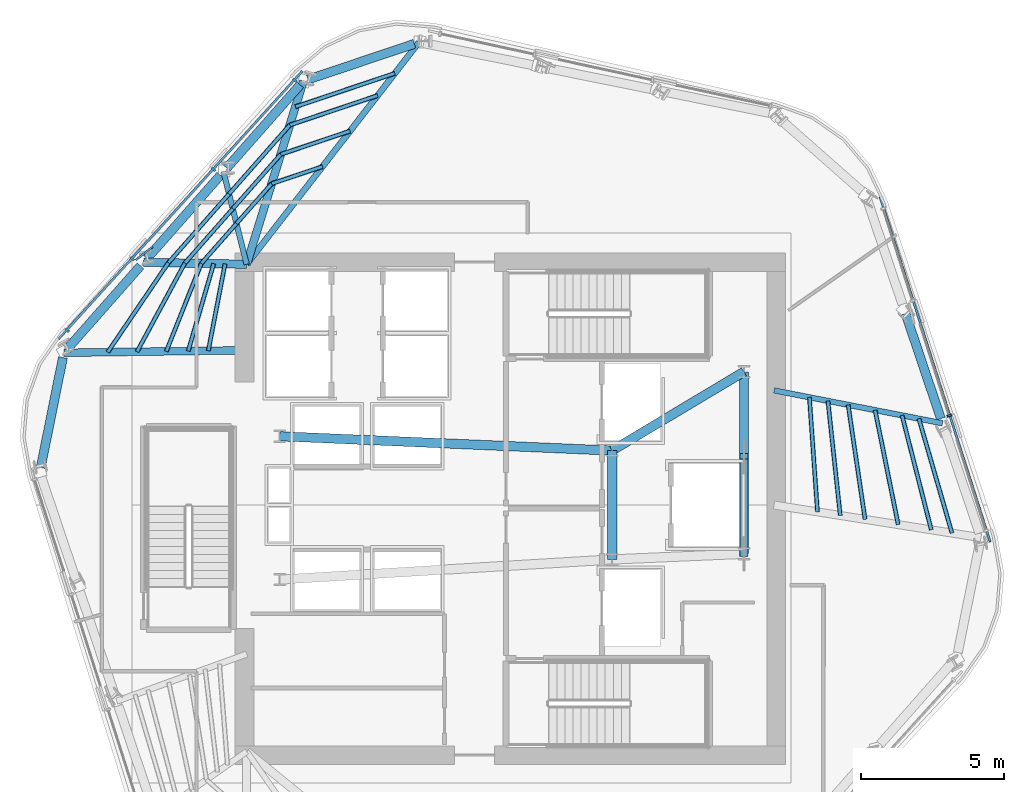
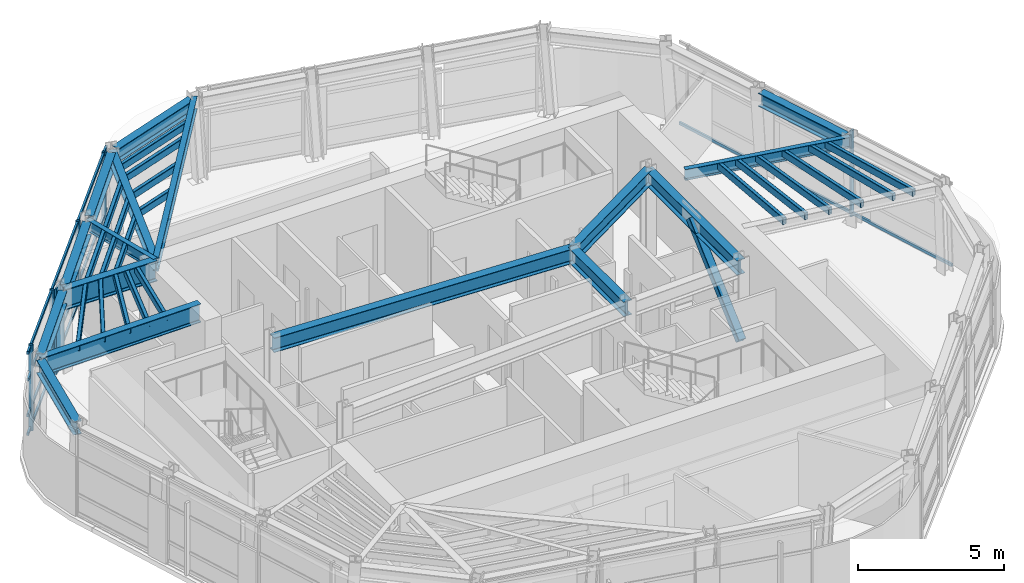
# One storey, part 4 of 13: 33 members, 16 beams, 2 elements without a shape of their own.
"""IFC4 building model written with IfcOpenShell, lengths in metres."""

import ifcopenshell
import ifcopenshell.guid

model = None  # the IFC model being written
_history = None  # IfcOwnerHistory: only IFC2X3 demands one
_inside = {}  # id of a spatial element -> (the spatial element, [elements in it])
_under = {}  # id of a project, library or spatial element -> (it, [spatial elements below it])
_declared = {}  # id of a project -> (the project, [libraries it declares])
_typed = {}  # id of a type object -> (the type object, [elements of that type])
_made_of = {}  # id of a material, layer set ... -> (it, [elements and type objects made of it])


def new_model(schema):
    """Start an empty IFC model of exactly this schema.

    Asked for "IFC4X3", IfcOpenShell would pick the latest addendum, in which some entities
    have other attributes; the version numbers below select the first issue.
    IFC2X3 requires an IfcOwnerHistory on every rooted entity: one is made here for all.
    """
    global model, _history
    if schema == "IFC4X3":
        model = ifcopenshell.file(schema_version=(4, 3, 0, 0))
    else:
        model = ifcopenshell.file(schema=schema)
    _inside.clear()
    _under.clear()
    _declared.clear()
    _typed.clear()
    _made_of.clear()
    _history = None
    if model.schema == "IFC2X3":
        org = make("IfcOrganization", Name="unknown")
        user = make(
            "IfcPersonAndOrganization",
            ThePerson=make("IfcPerson", FamilyName="unknown"),
            TheOrganization=org,
        )
        app = make(
            "IfcApplication",
            ApplicationDeveloper=org,
            Version="unknown",
            ApplicationFullName="unknown",
            ApplicationIdentifier="unknown",
        )
        _history = make(
            "IfcOwnerHistory",
            OwningUser=user,
            OwningApplication=app,
            ChangeAction="ADDED",
            CreationDate=0,
        )
    return model


def make(cls, **values):
    """One entity of the class cls with the attributes given. An attribute that is None is left unset."""
    return model.create_entity(
        cls, **{name: value for name, value in values.items() if value is not None}
    )


def rooted(cls, **values):
    """An entity with a GlobalId (a new one), such as an element, a storey or a relation."""
    return make(cls, GlobalId=ifcopenshell.guid.new(), OwnerHistory=_history, **values)


def si_unit(unit_type, name, prefix=None):
    """IfcSIUnit, for example si_unit("LENGTHUNIT", "METRE", prefix="MILLI")."""
    return make("IfcSIUnit", UnitType=unit_type, Prefix=prefix, Name=name)


def assignment(units):
    """IfcUnitAssignment: the units of a project."""
    return None if units is None else make("IfcUnitAssignment", Units=units)


def point(xyz):
    """IfcCartesianPoint."""
    return None if xyz is None else make("IfcCartesianPoint", Coordinates=xyz)


def direction(xyz):
    """IfcDirection."""
    return None if xyz is None else make("IfcDirection", DirectionRatios=xyz)


def frame(location, z_axis=None, x_axis=None):
    """IfcAxis2Placement3D, a coordinate frame: its origin and axes. An axis left out is left unset."""
    return make(
        "IfcAxis2Placement3D",
        Location=point(location),
        Axis=direction(z_axis),
        RefDirection=direction(x_axis),
    )


def frame_2d(location, x_axis=None):
    """IfcAxis2Placement2D, a coordinate frame in the plane: its origin and x axis."""
    return make(
        "IfcAxis2Placement2D", Location=point(location), RefDirection=direction(x_axis)
    )


def origin():
    """The frame at (0, 0, 0) with its axes left unset."""
    return frame((0.0, 0.0, 0.0))


def origin_2d():
    """The frame at (0, 0) in the plane with its x axis left unset."""
    return frame_2d((0.0, 0.0))


def place(relative_to, where):
    """IfcLocalPlacement: puts the frame where relative to a parent placement (None: the world)."""
    return make(
        "IfcLocalPlacement", PlacementRelTo=relative_to, RelativePlacement=where
    )


def context(
    kind, dimensions, precision=None, world=None, true_north=None, identifier=None
):
    """IfcGeometricRepresentationContext, for example the 3D "Model" context."""
    return make(
        "IfcGeometricRepresentationContext",
        ContextIdentifier=identifier,
        ContextType=kind,
        CoordinateSpaceDimension=dimensions,
        Precision=precision,
        WorldCoordinateSystem=world,
        TrueNorth=true_north,
    )


def subcontext(parent, identifier, kind, view, scale=None):
    """IfcGeometricRepresentationSubContext, for example "Body" below "Model"."""
    return make(
        "IfcGeometricRepresentationSubContext",
        ContextIdentifier=identifier,
        ContextType=kind,
        ParentContext=parent,
        TargetScale=scale,
        TargetView=view,
    )


def project(units=None, contexts=None):
    """IfcProject with its units and contexts."""
    return rooted(
        "IfcProject",
        Name="project",
        RepresentationContexts=contexts,
        UnitsInContext=assignment(units),
    )


def spatial(cls, under=None, at=None, **own):
    """A site, building, storey or space (cls), placed at a placement, below another one or the project."""
    s = rooted(cls, ObjectPlacement=at, **own)
    if under is not None:
        _under.setdefault(under.id(), (under, []))[1].append(s)
    return s


def profile(cls, at=None, kind="AREA", **sizes):
    """A parametric profile (cls). Its sizes go by their IFC names, for example OverallWidth=200.0."""
    return make(cls, ProfileType=kind, Position=at, **sizes)


def rectangle(**sizes):
    """IfcRectangleProfileDef."""
    return profile("IfcRectangleProfileDef", **sizes)


def hollow_rectangle(**sizes):
    """IfcRectangleHollowProfileDef."""
    return profile("IfcRectangleHollowProfileDef", **sizes)


def i_section(**sizes):
    """IfcIShapeProfileDef."""
    return profile("IfcIShapeProfileDef", **sizes)


def extrude(swept, where, along, depth):
    """IfcExtrudedAreaSolid: the profile swept, set in the frame where, extruded along a direction by depth."""
    return make(
        "IfcExtrudedAreaSolid",
        SweptArea=swept,
        Position=where,
        ExtrudedDirection=direction(along),
        Depth=depth,
    )


def shape(context_of_items, identifier, shape_type, items):
    """IfcShapeRepresentation: the items that make up one representation, for example the "Body"."""
    return make(
        "IfcShapeRepresentation",
        ContextOfItems=context_of_items,
        RepresentationIdentifier=identifier,
        RepresentationType=shape_type,
        Items=items,
    )


def material(Name=None, Category=None):
    """IfcMaterial."""
    return make("IfcMaterial", Name=Name, Category=Category)


def layer(
    of_material, thickness, ventilated=None, Name=None, Category=None, Priority=None
):
    """IfcMaterialLayer: one layer of a wall or slab, of a material (None: an air gap)."""
    return make(
        "IfcMaterialLayer",
        Material=of_material,
        LayerThickness=thickness,
        IsVentilated=ventilated,
        Name=Name,
        Category=Category,
        Priority=Priority,
    )


def layer_set(layers, Name=None):
    """IfcMaterialLayerSet."""
    return make("IfcMaterialLayerSet", MaterialLayers=layers, LayerSetName=Name)


def material_profile(
    of_material, cross_section, Name=None, Category=None, Priority=None
):
    """IfcMaterialProfile: a cross section and its material."""
    return make(
        "IfcMaterialProfile",
        Name=Name,
        Material=of_material,
        Profile=cross_section,
        Priority=Priority,
        Category=Category,
    )


def profile_set(profiles, Name=None, composite=None):
    """IfcMaterialProfileSet."""
    return make(
        "IfcMaterialProfileSet",
        Name=Name,
        MaterialProfiles=profiles,
        CompositeProfile=composite,
    )


def made_of(thing, what):
    """Note that an element or type object is made of a material, layer set ...; save() writes the relation."""
    if what is not None:
        _made_of.setdefault(what.id(), (what, []))[1].append(thing)
    return thing


def type_object(cls, material=None, **own):
    """A type object (cls), such as IfcWallType, which elements share."""
    return made_of(rooted(cls, **own), material)


def element(
    cls,
    number,
    at=None,
    inside=None,
    cuts=None,
    type_object=None,
    material=None,
    context=None,
    identifier="Body",
    shape_type=None,
    held_by="IfcProductDefinitionShape",
    body=None,
    shapes=None,
    **own,
):
    """One element of the class cls, such as IfcWall. Its Tag is "e" and its number.

    at: its placement. inside: the storey or other place that contains it. cuts: it is an
    opening in that element (IfcRelVoidsElement). A single representation is given by context,
    identifier, shape_type and body (its items); several are given by shapes. held_by: the class
    of the entity that holds the representations. save() writes the other relations.
    """
    e = rooted(cls, Tag="e%d" % number, ObjectPlacement=at, **own)
    if body is not None:
        shapes = [shape(context, identifier, shape_type, body)]
    if shapes is not None:
        e.Representation = make(held_by, Representations=shapes)
    if inside is not None:
        _inside.setdefault(inside.id(), (inside, []))[1].append(e)
    if cuts is not None:
        rooted(
            "IfcRelVoidsElement", RelatingBuildingElement=cuts, RelatedOpeningElement=e
        )
    if type_object is not None:
        _typed.setdefault(type_object.id(), (type_object, []))[1].append(e)
    return made_of(e, material)


def aggregate(whole, parts):
    """IfcRelAggregates: a whole, such as a stair, and the parts it consists of."""
    return rooted("IfcRelAggregates", RelatingObject=whole, RelatedObjects=parts)


def save(model, path):
    """Write the relations noted so far, then the file.

    IfcRelAggregates (storeys below a building ...), IfcRelContainedInSpatialStructure (elements
    in a storey), IfcRelDefinesByType, IfcRelAssociatesMaterial and IfcRelDeclares: one each for
    every whole, place, type object, material and project.
    """
    for whole, parts in _under.values():
        aggregate(whole, parts)
    for where, things in _inside.values():
        rooted(
            "IfcRelContainedInSpatialStructure",
            RelatedElements=things,
            RelatingStructure=where,
        )
    for kind, things in _typed.values():
        rooted("IfcRelDefinesByType", RelatedObjects=things, RelatingType=kind)
    for what, things in _made_of.values():
        rooted("IfcRelAssociatesMaterial", RelatedObjects=things, RelatingMaterial=what)
    for by, libraries in _declared.values():
        rooted("IfcRelDeclares", RelatingContext=by, RelatedDefinitions=libraries)
    model.write(path)


model = new_model("IFC4")

# Units and contexts
model_context = context("Model", 3, precision=1e-05, world=origin(), true_north=direction((0.0, 1.0)))
body_context = subcontext(model_context, "Body", "Model", "MODEL_VIEW")
ifc_project = project(units=[si_unit("LENGTHUNIT", "METRE"), si_unit("AREAUNIT", "SQUARE_METRE"), si_unit("VOLUMEUNIT", "CUBIC_METRE"), si_unit("PLANEANGLEUNIT", "RADIAN"), si_unit("MASSUNIT", "GRAM", prefix="KILO")], contexts=[model_context])

# Site, building, storey
site_placement = place(None, origin())
site = spatial("IfcSite", under=ifc_project, at=site_placement, CompositionType="ELEMENT")
building_placement = place(site_placement, origin())
building = spatial("IfcBuilding", under=site, at=building_placement, Name="Valkerne Bourse Tower", CompositionType="ELEMENT")
storey_placement = place(building_placement, frame((0.0, 0.0, 228.39990234375)))
storey = spatial("IfcBuildingStorey", under=building, at=storey_placement, Name="L58", CompositionType="ELEMENT", Elevation=228.39990234375)

# Beams
ifc_material_1 = material(Name="Steel ASTM A992", Category="steel")
ifc_material_profile_1 = material_profile(ifc_material_1, i_section(OverallWidth=0.1904296875, OverallDepth=0.457275390625, WebThickness=0.009033203125, FlangeThickness=0.014404296875, FilletRadius=0.01513671875, at=origin_2d()), Name="W18X50")
ifc_profile_set_1 = profile_set([ifc_material_profile_1], Name="Steel ASTM A992")
beam_type_1 = type_object("IfcBeamType", Name="BM-W18X50", PredefinedType="JOIST", material=ifc_profile_set_1)
beam_1_placement = place(storey_placement, frame((36.7919921875, 38.630859375, 3.37158203125), z_axis=(0.242639112882, -0.970116622319, 0.0), x_axis=(0.970116622319, 0.242639112882, 0.0)))
element("IfcBeam", 1, at=beam_1_placement, inside=storey, type_object=beam_type_1, Name="L58 Radial Composite Floor Beam 05", PredefinedType="JOIST", context=body_context, shape_type="SweptSolid", body=[
    extrude(i_section(OverallWidth=0.1904296875, OverallDepth=0.457275390625, WebThickness=0.009033203125, FlangeThickness=0.014404296875, FilletRadius=0.01513671875, at=origin_2d()), origin(), (0.0, 0.0, 1.0), 3.33056640625),
])
beam_2_placement = place(storey_placement, frame((61.876708984375, 29.851806640625, 3.37158203125), z_axis=(-0.981442895962, 0.191754640011, 0.0), x_axis=(-0.191754640011, -0.981442895962, 0.0)))
element("IfcBeam", 2, at=beam_2_placement, inside=storey, type_object=beam_type_1, Name="L58 Radial Composite Floor Beam 21", PredefinedType="JOIST", context=body_context, shape_type="SweptSolid", body=[
    extrude(i_section(OverallWidth=0.1904296875, OverallDepth=0.457275390625, WebThickness=0.009033203125, FlangeThickness=0.014404296875, FilletRadius=0.01513671875, at=origin_2d()), origin(), (0.0, 0.0, 1.0), 5.98779296875),
])
ifc_material_profile_2 = material_profile(ifc_material_1, i_section(OverallWidth=0.279296875, OverallDepth=0.46240234375, WebThickness=0.0107421875, FlangeThickness=0.017333984375, FilletRadius=0.017822265625, at=origin_2d()), Name="W18X76")
ifc_profile_set_2 = profile_set([ifc_material_profile_2], Name="Steel ASTM A992")
beam_type_2 = type_object("IfcBeamType", Name="BM-W18X76", PredefinedType="BEAM", material=ifc_profile_set_2)
beam_3_placement = place(storey_placement, frame((39.577392578125, 41.790283203125, 3.368896484375), z_axis=(-0.295590944827, -0.955314604377, 0.0), x_axis=(0.955314604377, -0.295590944827, 0.0)))
element("IfcBeam", 3, at=beam_3_placement, inside=storey, type_object=beam_type_2, Name="L58 Radial Composite Floor Beam 04", PredefinedType="BEAM", context=body_context, shape_type="SweptSolid", body=[
    extrude(i_section(OverallWidth=0.279296875, OverallDepth=0.46240234375, WebThickness=0.0107421875, FlangeThickness=0.017333984375, FilletRadius=0.017822265625, at=origin_2d()), origin(), (0.0, 0.0, 1.0), 6.689208984375),
])
ifc_material_profile_3 = material_profile(ifc_material_1, i_section(OverallWidth=0.31494140625, OverallDepth=0.5537109375, WebThickness=0.0166015625, FlangeThickness=0.026123046875, FilletRadius=0.020263671875, at=origin_2d()), Name="W21X132")
ifc_profile_set_3 = profile_set([ifc_material_profile_3], Name="Steel ASTM A992")
beam_type_3 = type_object("IfcBeamType", Name="BM-W21X132", PredefinedType="BEAM", material=ifc_profile_set_3)
beam_4_placement = place(storey_placement, frame((43.44970703125, 43.093505859375, 3.3232421875), z_axis=(-0.947762787395, -0.318976016072, 0.0), x_axis=(0.318976016072, -0.947762787395, 0.0)))
element("IfcBeam", 4, at=beam_4_placement, inside=storey, type_object=beam_type_3, Name="L58 Hexagonal Spandrel Ring Beam 03", PredefinedType="BEAM", context=body_context, shape_type="SweptSolid", body=[
    extrude(i_section(OverallWidth=0.31494140625, OverallDepth=0.5537109375, WebThickness=0.0166015625, FlangeThickness=0.026123046875, FilletRadius=0.020263671875, at=origin_2d()), origin(), (0.0, 0.0, 1.0), 3.915771484375),
])
for number, where, z_axis, x_axis, name in (
    (5, (39.465087890625, 41.662841796875, 3.3232421875), (-0.661325473971, -0.750099071774, 0.0), (0.750099071774, -0.661325473971, 0.0), "L58 Hexagonal Spandrel Ring Beam 04"),
    (6, (36.6796875, 38.50341796875, 3.3232421875), (-0.661325473971, -0.750099071774, 0.0), (0.750099071774, -0.661325473971, 0.0), "L58 Hexagonal Spandrel Ring Beam 05"),
):
    element("IfcBeam", number, at=place(storey_placement, frame(where, z_axis=z_axis, x_axis=x_axis)), inside=storey, type_object=beam_type_3, Name=name, PredefinedType="BEAM", context=body_context, shape_type="SweptSolid", body=[
        extrude(i_section(OverallWidth=0.31494140625, OverallDepth=0.5537109375, WebThickness=0.0166015625, FlangeThickness=0.026123046875, FilletRadius=0.020263671875, at=origin_2d()), origin(), (0.0, 0.0, 1.0), 3.872314453125),
    ])
beam_5_placement = place(storey_placement, frame((33.89404296875, 35.343994140625, 3.3232421875), z_axis=(-0.661289997078, -0.750130348516, 0.0), x_axis=(0.750130348516, -0.661289997078, 0.0)))
element("IfcBeam", 7, at=beam_5_placement, inside=storey, type_object=beam_type_3, Name="L58 Hexagonal Spandrel Ring Beam 06", PredefinedType="BEAM", context=body_context, shape_type="SweptSolid", body=[
    extrude(i_section(OverallWidth=0.31494140625, OverallDepth=0.5537109375, WebThickness=0.0166015625, FlangeThickness=0.026123046875, FilletRadius=0.020263671875, at=origin_2d()), origin(), (0.0, 0.0, 1.0), 3.8720703125),
])
beam_6_placement = place(storey_placement, frame((31.1875, 32.145263671875, 3.3232421875), z_axis=(-0.19765067326, -0.980272518925, 0.0), x_axis=(0.980272518925, -0.19765067326, 0.0)))
element("IfcBeam", 8, at=beam_6_placement, inside=storey, type_object=beam_type_3, Name="L58 Hexagonal Spandrel Ring Beam 07", PredefinedType="BEAM", context=body_context, shape_type="SweptSolid", body=[
    extrude(i_section(OverallWidth=0.31494140625, OverallDepth=0.5537109375, WebThickness=0.0166015625, FlangeThickness=0.026123046875, FilletRadius=0.020263671875, at=origin_2d()), origin(), (0.0, 0.0, 1.0), 3.91552734375),
])
beam_7_placement = place(storey_placement, frame((61.822509765625, 30.012939453125, 3.3232421875), z_axis=(-0.318988173822, 0.947758695535, 0.0), x_axis=(-0.947758695535, -0.318988173822, 0.0)))
element("IfcBeam", 9, at=beam_7_placement, inside=storey, type_object=beam_type_3, Name="L58 Hexagonal Spandrel Ring Beam 21", PredefinedType="BEAM", context=body_context, shape_type="SweptSolid", body=[
    extrude(i_section(OverallWidth=0.31494140625, OverallDepth=0.5537109375, WebThickness=0.0166015625, FlangeThickness=0.026123046875, FilletRadius=0.020263671875, at=origin_2d()), origin(), (0.0, 0.0, 1.0), 3.8720703125),
])
ifc_material_profile_4 = material_profile(ifc_material_1, i_section(OverallWidth=0.209228515625, OverallDepth=0.533447265625, WebThickness=0.01025390625, FlangeThickness=0.015625, FilletRadius=0.017822265625, at=origin_2d()), Name="W21X62")
ifc_profile_set_4 = profile_set([ifc_material_profile_4], Name="Steel ASTM A992")
beam_type_4 = type_object("IfcBeamType", Name="BM-W21X62", PredefinedType="JOIST", material=ifc_profile_set_4)
beam_8_placement = place(storey_placement, frame((43.61083984375, 43.147705078125, 3.33349609375), z_axis=(-0.612966287125, -0.790109062629, 0.0), x_axis=(0.790109062629, -0.612966287125, 0.0)))
element("IfcBeam", 10, at=beam_8_placement, inside=storey, type_object=beam_type_4, Name="L58 Radial Composite Floor Beam 03", PredefinedType="JOIST", context=body_context, shape_type="SweptSolid", body=[
    extrude(i_section(OverallWidth=0.209228515625, OverallDepth=0.533447265625, WebThickness=0.01025390625, FlangeThickness=0.015625, FilletRadius=0.017822265625, at=origin_2d()), origin(), (0.0, 0.0, 1.0), 9.805908203125),
])
ifc_material_profile_5 = material_profile(ifc_material_1, i_section(OverallWidth=0.3251953125, OverallDepth=0.612060546875, WebThickness=0.0126953125, FlangeThickness=0.01904296875, FilletRadius=0.020263671875, at=origin_2d()), Name="W24X104")
ifc_profile_set_5 = profile_set([ifc_material_profile_5], Name="Steel ASTM A992")
beam_type_5 = type_object("IfcBeamType", Name="BM-W24X104", PredefinedType="BEAM", material=ifc_profile_set_5)
beam_9_placement = place(storey_placement, frame((50.35009765625, 25.10009765625, 3.294189453125), z_axis=(0.0, 1.0, 0.0), x_axis=(-1.0, 0.0, 0.0)))
element("IfcBeam", 11, at=beam_9_placement, inside=storey, type_object=beam_type_5, Name="L58 Core Frame Girder CG-CE", PredefinedType="BEAM", context=body_context, shape_type="SweptSolid", body=[
    extrude(i_section(OverallWidth=0.3251953125, OverallDepth=0.612060546875, WebThickness=0.0126953125, FlangeThickness=0.01904296875, FilletRadius=0.020263671875, at=origin_2d()), origin(), (0.0, 0.0, 1.0), 3.7998046875),
])
beam_10_placement = place(storey_placement, frame((50.35009765625, 28.89990234375, 3.294189453125), z_axis=(0.858307823492, 0.513135148019, 0.0), x_axis=(-0.513135148019, 0.858307823492, 0.0)))
element("IfcBeam", 12, at=beam_10_placement, inside=storey, type_object=beam_type_5, Name="L58 Core Frame Girder CG-NE", PredefinedType="BEAM", context=body_context, shape_type="SweptSolid", body=[
    extrude(i_section(OverallWidth=0.3251953125, OverallDepth=0.612060546875, WebThickness=0.0126953125, FlangeThickness=0.01904296875, FilletRadius=0.020263671875, at=origin_2d()), origin(), (0.0, 0.0, 1.0), 5.359130859375),
])
beam_11_placement = place(storey_placement, frame((54.949951171875, 25.300048828125, 3.294189453125), z_axis=(0.0, 1.0, 0.0), x_axis=(-1.0, 0.0, 0.0)))
element("IfcBeam", 13, at=beam_11_placement, inside=storey, type_object=beam_type_5, Name="L58 Core Frame Girder CG-EE", PredefinedType="BEAM", context=body_context, shape_type="SweptSolid", body=[
    extrude(i_section(OverallWidth=0.3251953125, OverallDepth=0.612060546875, WebThickness=0.0126953125, FlangeThickness=0.01904296875, FilletRadius=0.020263671875, at=origin_2d()), origin(), (0.0, 0.0, 1.0), 6.349853515625),
])
beam_12_placement = place(storey_placement, frame((38.75, 29.39990234375, 3.294189453125), z_axis=(0.999072354402, -0.043063101019, 0.0), x_axis=(0.043063101019, 0.999072354402, 0.0)))
element("IfcBeam", 14, at=beam_12_placement, inside=storey, type_object=beam_type_5, Name="L58 Core Frame Girder CG-NW", PredefinedType="BEAM", context=body_context, shape_type="SweptSolid", body=[
    extrude(i_section(OverallWidth=0.3251953125, OverallDepth=0.612060546875, WebThickness=0.0126953125, FlangeThickness=0.01904296875, FilletRadius=0.020263671875, at=origin_2d()), origin(), (0.0, 0.0, 1.0), 11.61083984375),
])
ifc_material_profile_6 = material_profile(ifc_material_1, i_section(OverallWidth=0.26806640625, OverallDepth=0.76953125, WebThickness=0.015625, FlangeThickness=0.025390625, FilletRadius=0.025390625, at=origin_2d()), Name="W30X132")
ifc_profile_set_6 = profile_set([ifc_material_profile_6], Name="Steel ASTM A992")
beam_type_6 = type_object("IfcBeamType", Name="BM-W30X132", PredefinedType="BEAM", material=ifc_profile_set_6)
beam_13_placement = place(storey_placement, frame((31.22119140625, 32.31201171875, 3.21533203125), z_axis=(0.999905092433, 0.01377701444, 0.0), x_axis=(-0.01377701444, 0.999905092433, 0.0)))
element("IfcBeam", 15, at=beam_13_placement, inside=storey, type_object=beam_type_6, Name="L58 Radial Composite Floor Beam 07", PredefinedType="BEAM", context=body_context, shape_type="SweptSolid", body=[
    extrude(i_section(OverallWidth=0.26806640625, OverallDepth=0.76953125, WebThickness=0.015625, FlangeThickness=0.025390625, FilletRadius=0.025390625, at=origin_2d()), origin(), (0.0, 0.0, 1.0), 6.37939453125),
])
ifc_material_profile_7 = material_profile(ifc_material_1, i_section(OverallWidth=0.2919921875, OverallDepth=0.8583984375, WebThickness=0.01708984375, FlangeThickness=0.031005859375, FilletRadius=0.025390625, at=origin_2d()), Name="W33X169")
ifc_profile_set_7 = profile_set([ifc_material_profile_7], Name="Steel ASTM A992")
beam_type_7 = type_object("IfcBeamType", Name="BM-W33X169", PredefinedType="BEAM", material=ifc_profile_set_7)
beam_14_placement = place(storey_placement, frame((34.006591796875, 35.471435546875, 3.1708984375), z_axis=(0.999801929596, -0.019902300793, 0.0), x_axis=(0.019902300793, 0.999801929596, 0.0)))
element("IfcBeam", 16, at=beam_14_placement, inside=storey, type_object=beam_type_7, Name="L58 Radial Composite Floor Beam 06", PredefinedType="BEAM", context=body_context, shape_type="SweptSolid", body=[
    extrude(i_section(OverallWidth=0.2919921875, OverallDepth=0.8583984375, WebThickness=0.01708984375, FlangeThickness=0.031005859375, FilletRadius=0.025390625, at=origin_2d()), origin(), (0.0, 0.0, 1.0), 3.59423828125),
])

# Curtain wall, members
ifc_material_2 = material(Name="Aluminium AA 6063-T6", Category="aluminium")
ifc_layer = layer(ifc_material_2, 0.239990234375)
ifc_layer_set = layer_set([ifc_layer], Name="Aluminium AA 6063-T6")
curtain_wall_type = type_object("IfcCurtainWallType", Name="CW-04", PredefinedType="NOTDEFINED", material=ifc_layer_set)
curtain_wall_1_placement = place(storey_placement, origin())
curtain_wall_1 = element("IfcCurtainWall", 17, at=curtain_wall_1_placement, inside=storey, type_object=curtain_wall_type, Name="L58 Hexagonal Stick Curtain Wall Face 2", PredefinedType="NOTDEFINED")
ifc_material_profile_8 = material_profile(ifc_material_2, rectangle(XDim=0.074951171875, YDim=0.159912109375, at=origin_2d()), Name="CWM-75X160")
ifc_profile_set_8 = profile_set([ifc_material_profile_8], Name="Aluminium AA 6063-T6")
member_type_1 = type_object("IfcMemberType", Name="CW-MUL-160X75", PredefinedType="MULLION", material=ifc_profile_set_8)
member_1_placement = place(storey_placement, frame((39.276611328125, 41.820068359375, 0.0), z_axis=(0.0, 0.0, 1.0), x_axis=(-0.673011878103, -0.739631673154, 0.0)))
member_1 = element("IfcMember", 18, at=member_1_placement, type_object=member_type_1, Name="CW-L58-F2 Jamb Mullion 00A", PredefinedType="MULLION", context=body_context, shape_type="SweptSolid", body=[
    extrude(rectangle(XDim=0.074951171875, YDim=0.159912109375, at=origin_2d()), origin(), (0.0, 0.0, 1.0), 3.60009765625),
])
member_2_placement = place(storey_placement, frame((36.44189453125, 38.704833984375, 0.0), z_axis=(0.0, 0.0, 1.0), x_axis=(-0.673011878103, -0.739631673154, 0.0)))
member_2 = element("IfcMember", 19, at=member_2_placement, type_object=member_type_1, Name="CW-L58-F2 Jamb Mullion 01A", PredefinedType="MULLION", context=body_context, shape_type="SweptSolid", body=[
    extrude(rectangle(XDim=0.074951171875, YDim=0.159912109375, at=origin_2d()), origin(), (0.0, 0.0, 1.0), 3.60009765625),
])
member_3_placement = place(storey_placement, frame((33.607177734375, 35.589599609375, 0.0), z_axis=(0.0, 0.0, 1.0), x_axis=(-0.673024865933, -0.73961985495, 0.0)))
member_3 = element("IfcMember", 20, at=member_3_placement, type_object=member_type_1, Name="CW-L58-F2 Jamb Mullion 02A", PredefinedType="MULLION", context=body_context, shape_type="SweptSolid", body=[
    extrude(rectangle(XDim=0.074951171875, YDim=0.159912109375, at=origin_2d()), origin(), (0.0, 0.0, 1.0), 3.60009765625),
])
member_4_placement = place(storey_placement, frame((31.337646484375, 33.095458984375, 0.0), z_axis=(0.0, 0.0, 1.0), x_axis=(-0.673024865933, -0.73961985495, 0.0)))
member_4 = element("IfcMember", 21, at=member_4_placement, type_object=member_type_1, Name="CW-L58-F2 Jamb Mullion 02B", PredefinedType="MULLION", context=body_context, shape_type="SweptSolid", body=[
    extrude(rectangle(XDim=0.074951171875, YDim=0.159912109375, at=origin_2d()), origin(), (0.0, 0.0, 1.0), 3.60009765625),
])

# Curtain wall, member
curtain_wall_2_placement = place(storey_placement, origin())
curtain_wall_2 = element("IfcCurtainWall", 22, at=curtain_wall_2_placement, inside=storey, type_object=curtain_wall_type, Name="L58 Hexagonal Stick Curtain Wall Face 6", PredefinedType="NOTDEFINED")
member_5_placement = place(storey_placement, frame((62.11572265625, 30.1181640625, 0.0), z_axis=(0.0, 0.0, 1.0), x_axis=(-0.304036506204, 0.952660381718, 0.0)))
member_5 = element("IfcMember", 23, at=member_5_placement, type_object=member_type_1, Name="CW-L58-F6 Jamb Mullion 01A", PredefinedType="MULLION", context=body_context, shape_type="SweptSolid", body=[
    extrude(rectangle(XDim=0.074951171875, YDim=0.159912109375, at=origin_2d()), origin(), (0.0, 0.0, 1.0), 3.60009765625),
])

# Member
ifc_material_profile_9 = material_profile(ifc_material_2, rectangle(XDim=0.074951171875, YDim=0.1201171875, at=origin_2d()), Name="CWT-75X120")
ifc_profile_set_9 = profile_set([ifc_material_profile_9], Name="Aluminium AA 6063-T6")
member_type_2 = type_object("IfcMemberType", Name="CW-TRN-120X75", PredefinedType="USERDEFINED", material=ifc_profile_set_9)
member_6_placement = place(storey_placement, frame((39.544189453125, 42.144287109375, 0.1201171875), z_axis=(-0.673012197714, -0.73963138233, 0.0), x_axis=(0.73963138233, -0.673012197714, 0.0)))
member_6 = element("IfcMember", 24, at=member_6_placement, type_object=member_type_2, Name="CW-L58-F2 Continuous Face Transom 1", ObjectType="TRANSOM", PredefinedType="USERDEFINED", context=body_context, shape_type="SweptSolid", body=[
    extrude(rectangle(XDim=0.074951171875, YDim=0.1201171875, at=origin_2d()), origin(), (0.0, 0.0, 1.0), 12.635986328125),
])

member_7_placement = place(storey_placement, frame((39.544189453125, 42.144287109375, 0.900146484375), z_axis=(-0.673012197714, -0.73963138233, 0.0), x_axis=(0.73963138233, -0.673012197714, 0.0)))
member_7 = element("IfcMember", 25, at=member_7_placement, type_object=member_type_2, Name="CW-L58-F2 Continuous Face Transom 2", ObjectType="TRANSOM", PredefinedType="USERDEFINED", context=body_context, shape_type="SweptSolid", body=[
    extrude(rectangle(XDim=0.074951171875, YDim=0.1201171875, at=origin_2d()), origin(), (0.0, 0.0, 1.0), 12.635986328125),
])

member_8_placement = place(storey_placement, frame((39.544189453125, 42.144287109375, 2.400146484375), z_axis=(-0.673012197714, -0.73963138233, 0.0), x_axis=(0.73963138233, -0.673012197714, 0.0)))
member_8 = element("IfcMember", 26, at=member_8_placement, type_object=member_type_2, Name="CW-L58-F2 Continuous Face Transom 3", ObjectType="TRANSOM", PredefinedType="USERDEFINED", context=body_context, shape_type="SweptSolid", body=[
    extrude(rectangle(XDim=0.074951171875, YDim=0.1201171875, at=origin_2d()), origin(), (0.0, 0.0, 1.0), 12.635986328125),
])

member_9_placement = place(storey_placement, frame((39.544189453125, 42.144287109375, 3.52001953125), z_axis=(-0.673012197714, -0.73963138233, 0.0), x_axis=(0.73963138233, -0.673012197714, 0.0)))
member_9 = element("IfcMember", 27, at=member_9_placement, type_object=member_type_2, Name="CW-L58-F2 Continuous Face Transom 4", ObjectType="TRANSOM", PredefinedType="USERDEFINED", context=body_context, shape_type="SweptSolid", body=[
    extrude(rectangle(XDim=0.074951171875, YDim=0.1201171875, at=origin_2d()), origin(), (0.0, 0.0, 1.0), 12.635986328125),
])

aggregate(curtain_wall_1, [member_6, member_7, member_8, member_9, member_1, member_2, member_3, member_4])

member_10_placement = place(storey_placement, frame((63.543212890625, 25.71142578125, 0.1201171875), z_axis=(-0.304035323693, 0.952660759109, 0.0), x_axis=(-0.952660759109, -0.304035323693, 0.0)))
member_10 = element("IfcMember", 28, at=member_10_placement, type_object=member_type_2, Name="CW-L58-F6 Continuous Face Transom 1", ObjectType="TRANSOM", PredefinedType="USERDEFINED", context=body_context, shape_type="SweptSolid", body=[
    extrude(rectangle(XDim=0.074951171875, YDim=0.1201171875, at=origin_2d()), origin(), (0.0, 0.0, 1.0), 12.635986328125),
])

aggregate(curtain_wall_2, [member_10, member_5])

# Members
ifc_material_3 = material(Name="Bronze Anodised Aluminium AA 6063-T6", Category="aluminium")
ifc_material_profile_10 = material_profile(ifc_material_3, rectangle(XDim=0.06494140625, YDim=0.75, at=origin_2d()), Name="FIN-65X750")
ifc_profile_set_10 = profile_set([ifc_material_profile_10], Name="Bronze Anodised Aluminium AA 6063-T6")
member_type_3 = type_object("IfcMemberType", Name="FIN-SOLAR-650", PredefinedType="USERDEFINED", material=ifc_profile_set_10)
member_11_placement = place(storey_placement, frame((34.02294921875, 35.779052734375, 0.004150390625), z_axis=(0.0, 0.0, 1.0), x_axis=(-0.612185346199, 0.79071429853, 0.0)))
element("IfcMember", 29, at=member_11_placement, inside=storey, type_object=member_type_3, Name="L58 Bronze Anodised Solar Fin F2-02", ObjectType="SOLAR_FIN", PredefinedType="USERDEFINED", context=body_context, shape_type="SweptSolid", body=[
    extrude(rectangle(XDim=0.06494140625, YDim=0.75, at=origin_2d()), origin(), (0.0, 0.0, 1.0), 3.592041015625),
])
ifc_material_4 = material(Name="Steel ASTM A500 Grade C", Category="steel")
ifc_material_profile_11 = material_profile(ifc_material_4, hollow_rectangle(XDim=0.14990234375, YDim=0.300048828125, WallThickness=0.012451171875, OuterFilletRadius=0.02490234375, at=origin_2d()), Name="HSS300X150X12.5")
ifc_profile_set_11 = profile_set([ifc_material_profile_11], Name="Steel ASTM A500 Grade C")
member_type_4 = type_object("IfcMemberType", Name="MBR-HSS300X150X12.5", PredefinedType="PURLIN", material=ifc_profile_set_11)
member_12_placement = place(storey_placement, frame((36.4501953125, 35.4228515625, 3.440185546875), z_axis=(-0.280427641651, -0.95987516782, 0.0), x_axis=(0.95987516782, -0.280427641651, 0.0)))
element("IfcMember", 30, at=member_12_placement, inside=storey, type_object=member_type_4, Name="L58 Secondary Composite Floor Purlin I-06", PredefinedType="PURLIN", context=body_context, shape_type="SweptSolid", body=[
    extrude(hollow_rectangle(XDim=0.14990234375, YDim=0.300048828125, WallThickness=0.012451171875, OuterFilletRadius=0.02490234375, at=origin_2d()), origin(), (0.0, 0.0, 1.0), 3.178466796875),
])
member_13_placement = place(storey_placement, frame((58.310302734375, 26.635009765625, 3.440185546875), z_axis=(-0.106871877903, 0.994272800449, 0.0), x_axis=(-0.994272800449, -0.106871877903, 0.0)))
element("IfcMember", 31, at=member_13_placement, inside=storey, type_object=member_type_4, Name="L58 Secondary Composite Floor Purlin I-20", PredefinedType="PURLIN", context=body_context, shape_type="SweptSolid", body=[
    extrude(hollow_rectangle(XDim=0.14990234375, YDim=0.300048828125, WallThickness=0.012451171875, OuterFilletRadius=0.02490234375, at=origin_2d()), origin(), (0.0, 0.0, 1.0), 4.0205078125),
])
member_14_placement = place(storey_placement, frame((40.244873046875, 38.80908203125, 3.440185546875), z_axis=(-0.947740373874, -0.31904260488, 0.0), x_axis=(0.31904260488, -0.947740373874, 0.0)))
element("IfcMember", 32, at=member_14_placement, inside=storey, type_object=member_type_4, Name="L58 Secondary Composite Floor Purlin K-03", PredefinedType="PURLIN", context=body_context, shape_type="SweptSolid", body=[
    extrude(hollow_rectangle(XDim=0.14990234375, YDim=0.300048828125, WallThickness=0.012451171875, OuterFilletRadius=0.02490234375, at=origin_2d()), origin(), (0.0, 0.0, 1.0), 1.87255859375),
])
member_15_placement = place(storey_placement, frame((38.47021484375, 38.211669921875, 3.440185546875), z_axis=(-0.661390702738, -0.750041557736, 0.0), x_axis=(0.750041557736, -0.661390702738, 0.0)))
element("IfcMember", 33, at=member_15_placement, inside=storey, type_object=member_type_4, Name="L58 Secondary Composite Floor Purlin K-04", PredefinedType="PURLIN", context=body_context, shape_type="SweptSolid", body=[
    extrude(hollow_rectangle(XDim=0.14990234375, YDim=0.300048828125, WallThickness=0.012451171875, OuterFilletRadius=0.02490234375, at=origin_2d()), origin(), (0.0, 0.0, 1.0), 1.853515625),
])
member_16_placement = place(storey_placement, frame((37.244384765625, 36.821533203125, 3.440185546875), z_axis=(-0.661316589588, -0.750106904605, 0.0), x_axis=(0.750106904605, -0.661316589588, 0.0)))
element("IfcMember", 34, at=member_16_placement, inside=storey, type_object=member_type_4, Name="L58 Secondary Composite Floor Purlin K-05", PredefinedType="PURLIN", context=body_context, shape_type="SweptSolid", body=[
    extrude(hollow_rectangle(XDim=0.14990234375, YDim=0.300048828125, WallThickness=0.012451171875, OuterFilletRadius=0.02490234375, at=origin_2d()), origin(), (0.0, 0.0, 1.0), 1.853271484375),
])
member_17_placement = place(storey_placement, frame((36.018798828125, 35.431396484375, 3.440185546875), z_axis=(-0.370728475839, -0.928741297242, 0.0), x_axis=(0.928741297242, -0.370728475839, 0.0)))
element("IfcMember", 35, at=member_17_placement, inside=storey, type_object=member_type_4, Name="L58 Secondary Composite Floor Purlin K-06", PredefinedType="PURLIN", context=body_context, shape_type="SweptSolid", body=[
    extrude(hollow_rectangle(XDim=0.14990234375, YDim=0.300048828125, WallThickness=0.012451171875, OuterFilletRadius=0.02490234375, at=origin_2d()), origin(), (0.0, 0.0, 1.0), 3.305908203125),
])
member_18_placement = place(storey_placement, frame((59.1767578125, 26.498291015625, 3.440185546875), z_axis=(-0.146301177154, 0.989240095004, 0.0), x_axis=(-0.989240095004, -0.146301177154, 0.0)))
element("IfcMember", 36, at=member_18_placement, inside=storey, type_object=member_type_4, Name="L58 Secondary Composite Floor Purlin K-20", PredefinedType="PURLIN", context=body_context, shape_type="SweptSolid", body=[
    extrude(hollow_rectangle(XDim=0.14990234375, YDim=0.300048828125, WallThickness=0.012451171875, OuterFilletRadius=0.02490234375, at=origin_2d()), origin(), (0.0, 0.0, 1.0), 4.0400390625),
])
member_19_placement = place(storey_placement, frame((42.168212890625, 41.288330078125, 3.440185546875), z_axis=(-0.947758388857, -0.318989085004, 0.0), x_axis=(0.318989085004, -0.947758388857, 0.0)))
element("IfcMember", 37, at=member_19_placement, inside=storey, type_object=member_type_4, Name="L58 Secondary Composite Floor Purlin O-03", PredefinedType="PURLIN", context=body_context, shape_type="SweptSolid", body=[
    extrude(hollow_rectangle(XDim=0.14990234375, YDim=0.300048828125, WallThickness=0.012451171875, OuterFilletRadius=0.02490234375, at=origin_2d()), origin(), (0.0, 0.0, 1.0), 3.234375),
])
for number, where, z_axis, x_axis, name in (
    (38, (39.102783203125, 40.256591796875, 3.440185546875), (-0.661323930179, -0.750100432858, 0.0), (0.750100432858, -0.661323930179, 0.0), "L58 Secondary Composite Floor Purlin O-04"),
    (39, (36.98583984375, 37.85546875, 3.440185546875), (-0.661323930179, -0.750100432858, 0.0), (0.750100432858, -0.661323930179, 0.0), "L58 Secondary Composite Floor Purlin O-05"),
):
    element("IfcMember", number, at=place(storey_placement, frame(where, z_axis=z_axis, x_axis=x_axis)), inside=storey, type_object=member_type_4, Name=name, PredefinedType="PURLIN", context=body_context, shape_type="SweptSolid", body=[
        extrude(hollow_rectangle(XDim=0.14990234375, YDim=0.300048828125, WallThickness=0.012451171875, OuterFilletRadius=0.02490234375, at=origin_2d()), origin(), (0.0, 0.0, 1.0), 3.201171875),
    ])
member_20_placement = place(storey_placement, frame((34.868896484375, 35.454345703125, 3.440185546875), z_axis=(-0.5613003618, -0.827612169947, 0.0), x_axis=(0.827612169947, -0.5613003618, 0.0)))
element("IfcMember", 40, at=member_20_placement, inside=storey, type_object=member_type_4, Name="L58 Secondary Composite Floor Purlin O-06", PredefinedType="PURLIN", context=body_context, shape_type="SweptSolid", body=[
    extrude(hollow_rectangle(XDim=0.14990234375, YDim=0.300048828125, WallThickness=0.012451171875, OuterFilletRadius=0.02490234375, at=origin_2d()), origin(), (0.0, 0.0, 1.0), 3.771484375),
])
member_21_placement = place(storey_placement, frame((61.4873046875, 26.13330078125, 3.440185546875), z_axis=(-0.247660033642, 0.968846999137, 0.0), x_axis=(-0.968846999137, -0.247660033642, 0.0)))
element("IfcMember", 41, at=member_21_placement, inside=storey, type_object=member_type_4, Name="L58 Secondary Composite Floor Purlin O-20", PredefinedType="PURLIN", context=body_context, shape_type="SweptSolid", body=[
    extrude(hollow_rectangle(XDim=0.14990234375, YDim=0.300048828125, WallThickness=0.012451171875, OuterFilletRadius=0.02490234375, at=origin_2d()), origin(), (0.0, 0.0, 1.0), 4.12255859375),
])
member_22_placement = place(storey_placement, frame((41.20654296875, 40.048583984375, 3.440185546875), z_axis=(-0.947771100193, -0.318951315469, 0.0), x_axis=(0.318951315469, -0.947771100193, 0.0)))
element("IfcMember", 42, at=member_22_placement, inside=storey, type_object=member_type_4, Name="L58 Secondary Composite Floor Purlin Z-03", PredefinedType="PURLIN", context=body_context, shape_type="SweptSolid", body=[
    extrude(hollow_rectangle(XDim=0.14990234375, YDim=0.300048828125, WallThickness=0.012451171875, OuterFilletRadius=0.02490234375, at=origin_2d()), origin(), (0.0, 0.0, 1.0), 2.553466796875),
])
for number, where, z_axis, x_axis, name in (
    (43, (38.786376953125, 39.234130859375, 3.440185546875), (-0.661270097921, -0.750147890483, 0.0), (0.750147890483, -0.661270097921, 0.0), "L58 Secondary Composite Floor Purlin Z-04"),
    (44, (37.115234375, 37.33837890625, 3.440185546875), (-0.661372376714, -0.750057717325, 0.0), (0.750057717325, -0.661372376714, 0.0), "L58 Secondary Composite Floor Purlin Z-05"),
):
    element("IfcMember", number, at=place(storey_placement, frame(where, z_axis=z_axis, x_axis=x_axis)), inside=storey, type_object=member_type_4, Name=name, PredefinedType="PURLIN", context=body_context, shape_type="SweptSolid", body=[
        extrude(hollow_rectangle(XDim=0.14990234375, YDim=0.300048828125, WallThickness=0.012451171875, OuterFilletRadius=0.02490234375, at=origin_2d()), origin(), (0.0, 0.0, 1.0), 2.527099609375),
    ])
member_23_placement = place(storey_placement, frame((35.44384765625, 35.44287109375, 3.440185546875), z_axis=(-0.475030703535, -0.87996922145, 0.0), x_axis=(0.87996922145, -0.475030703535, 0.0)))
element("IfcMember", 45, at=member_23_placement, inside=storey, type_object=member_type_4, Name="L58 Secondary Composite Floor Purlin Z-06", PredefinedType="PURLIN", context=body_context, shape_type="SweptSolid", body=[
    extrude(hollow_rectangle(XDim=0.14990234375, YDim=0.300048828125, WallThickness=0.012451171875, OuterFilletRadius=0.02490234375, at=origin_2d()), origin(), (0.0, 0.0, 1.0), 3.51806640625),
])
member_24_placement = place(storey_placement, frame((60.33203125, 26.31591796875, 3.440185546875), z_axis=(-0.197797721716, 0.980242858318, 0.0), x_axis=(-0.980242858318, -0.197797721716, 0.0)))
element("IfcMember", 46, at=member_24_placement, inside=storey, type_object=member_type_4, Name="L58 Secondary Composite Floor Purlin Z-20", PredefinedType="PURLIN", context=body_context, shape_type="SweptSolid", body=[
    extrude(hollow_rectangle(XDim=0.14990234375, YDim=0.300048828125, WallThickness=0.012451171875, OuterFilletRadius=0.02490234375, at=origin_2d()), origin(), (0.0, 0.0, 1.0), 4.07568359375),
])
member_25_placement = place(storey_placement, frame((36.845458984375, 35.4150390625, 3.440185546875), z_axis=(-0.189348587094, -0.981909930984, 0.0), x_axis=(0.981909930984, -0.189348587094, 0.0)))
element("IfcMember", 47, at=member_25_placement, inside=storey, type_object=member_type_4, Name="L58 Secondary Composite Floor Purlin S-06", PredefinedType="PURLIN", context=body_context, shape_type="SweptSolid", body=[
    extrude(hollow_rectangle(XDim=0.14990234375, YDim=0.300048828125, WallThickness=0.012451171875, OuterFilletRadius=0.02490234375, at=origin_2d()), origin(), (0.0, 0.0, 1.0), 3.08935546875),
])
member_26_placement = place(storey_placement, frame((57.51611328125, 26.760498046875, 3.440185546875), z_axis=(-0.070350995639, 0.997522299206, 0.0), x_axis=(-0.997522299206, -0.070350995639, 0.0)))
element("IfcMember", 48, at=member_26_placement, inside=storey, type_object=member_type_4, Name="L58 Secondary Composite Floor Purlin S-20", PredefinedType="PURLIN", context=body_context, shape_type="SweptSolid", body=[
    extrude(hollow_rectangle(XDim=0.14990234375, YDim=0.300048828125, WallThickness=0.012451171875, OuterFilletRadius=0.02490234375, at=origin_2d()), origin(), (0.0, 0.0, 1.0), 4.00830078125),
])
member_27_placement = place(storey_placement, frame((42.769287109375, 42.06298828125, 3.440185546875), z_axis=(-0.947778901124, -0.318928133887, 0.0), x_axis=(0.318928133887, -0.947778901124, 0.0)))
element("IfcMember", 49, at=member_27_placement, inside=storey, type_object=member_type_4, Name="L58 Secondary Composite Floor Purlin T-03", PredefinedType="PURLIN", context=body_context, shape_type="SweptSolid", body=[
    extrude(hollow_rectangle(XDim=0.14990234375, YDim=0.300048828125, WallThickness=0.012451171875, OuterFilletRadius=0.02490234375, at=origin_2d()), origin(), (0.0, 0.0, 1.0), 3.659912109375),
])
member_28_placement = place(storey_placement, frame((62.209228515625, 26.019287109375, 3.440185546875), z_axis=(-0.277915467661, 0.96060553446, 0.0), x_axis=(-0.96060553446, -0.277915467661, 0.0)))
element("IfcMember", 50, at=member_28_placement, inside=storey, type_object=member_type_4, Name="L58 Secondary Composite Floor Purlin T-20", PredefinedType="PURLIN", context=body_context, shape_type="SweptSolid", body=[
    extrude(hollow_rectangle(XDim=0.14990234375, YDim=0.300048828125, WallThickness=0.012451171875, OuterFilletRadius=0.02490234375, at=origin_2d()), origin(), (0.0, 0.0, 1.0), 4.156982421875),
])
ifc_material_profile_12 = material_profile(ifc_material_4, hollow_rectangle(XDim=0.300048828125, YDim=0.300048828125, WallThickness=0.012451171875, OuterFilletRadius=0.02490234375, at=origin_2d()), Name="HSS300X300X12.5")
ifc_profile_set_12 = profile_set([ifc_material_profile_12], Name="Steel ASTM A500 Grade C")
member_type_5 = type_object("IfcMemberType", Name="MBR-HSS300X300X12.5", PredefinedType="STRUT", material=ifc_profile_set_12)
member_29_placement = place(storey_placement, frame((54.949951171875, 25.300048828125, 0.22021484375), z_axis=(0.0, 0.741766660352, 0.670658051163), x_axis=(-1.0, 0.0, 0.0)))
element("IfcMember", 51, at=member_29_placement, inside=storey, type_object=member_type_5, Name="L58 Core Service Pier Lateral Brace", PredefinedType="STRUT", context=body_context, shape_type="SweptSolid", body=[
    extrude(hollow_rectangle(XDim=0.300048828125, YDim=0.300048828125, WallThickness=0.012451171875, OuterFilletRadius=0.02490234375, at=origin_2d()), origin(), (0.0, 0.0, 1.0), 4.58349609375),
])

save(model, "model.ifc")
